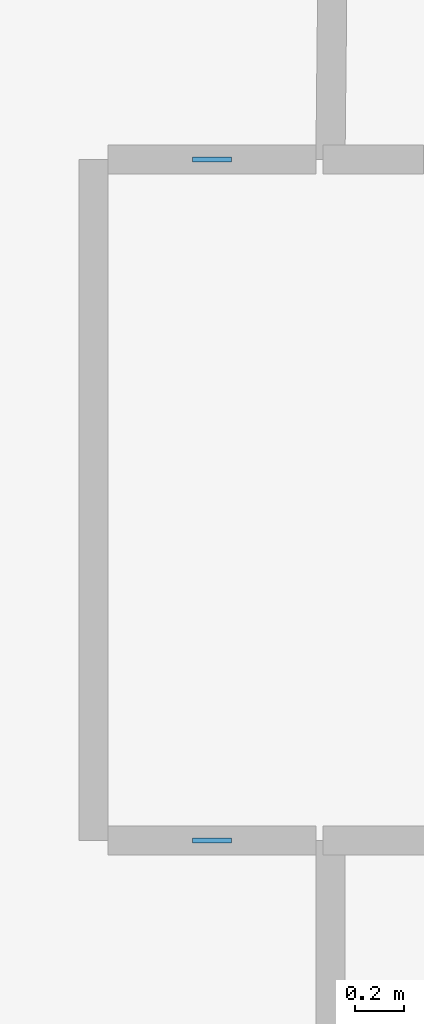
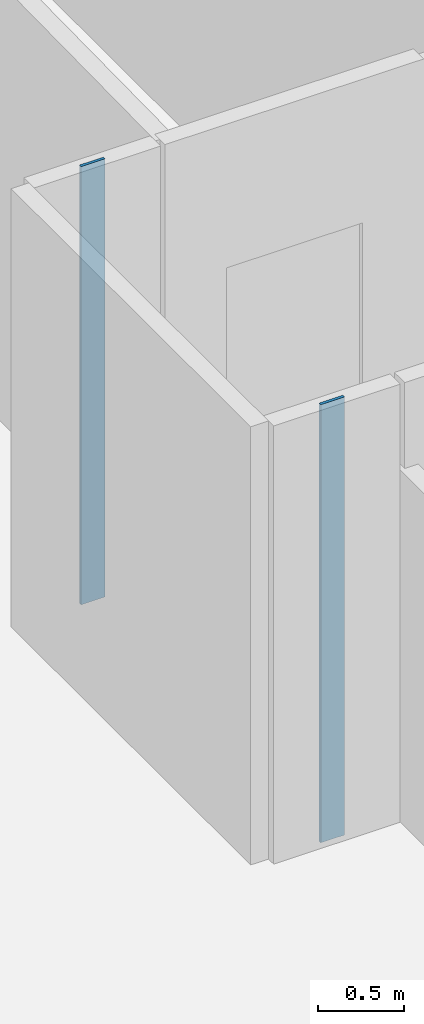
# One storey, part 7 of 15: 2 plates.
"""IFC4 building model written with IfcOpenShell, lengths in metres."""

from ifc_helpers import new_model, si_unit, direction, frame, origin, origin_2d, place, context, subcontext, project, spatial, rectangle, extrude, material, layer, layer_set, type_object, element, save


model = new_model("IFC4")

# Units and contexts
model_context = context("Model", 3, precision=1e-05, world=origin(), true_north=direction((0.0, 1.0)))
body_context = subcontext(model_context, "Body", "Model", "MODEL_VIEW")
ifc_project = project(units=[si_unit("LENGTHUNIT", "METRE"), si_unit("AREAUNIT", "SQUARE_METRE"), si_unit("VOLUMEUNIT", "CUBIC_METRE"), si_unit("PLANEANGLEUNIT", "RADIAN"), si_unit("MASSUNIT", "GRAM", prefix="KILO")], contexts=[model_context])

# Site, building, storey
site_placement = place(None, origin())
site = spatial("IfcSite", under=ifc_project, at=site_placement, CompositionType="ELEMENT")
building_placement = place(site_placement, origin())
building = spatial("IfcBuilding", under=site, at=building_placement, Name="Miruveldt Soraemaru", CompositionType="ELEMENT")
storey_placement = place(building_placement, frame((0.0, 0.0, 32.60009765625)))
storey = spatial("IfcBuildingStorey", under=building, at=storey_placement, Name="L08", CompositionType="ELEMENT", Elevation=32.60009765625)

# Plates
ifc_material = material(Name="Anodised aluminium EN AW-6063 T6", Category="aluminium")
ifc_layer = layer(ifc_material, 0.02001953125, Name="Anodised aluminium EN AW-6063 T6", Category="aluminium")
ifc_layer_set = layer_set([ifc_layer], Name="Anodised aluminium EN AW-6063 T6")
plate_type = type_object("IfcPlateType", Name="PLT-PART-TRIM", PredefinedType="SHEET", material=ifc_layer_set)
for number, where, z_axis, x_axis, name in (
    (1, (41.06298828125, 67.97998046875, 0.0), (0.0, 0.0, 1.0), (-1.0, 0.0, 0.0), "L08 Partition Step Corner Trim Plate 028"),
    (2, (41.06298828125, 65.179931640625, 0.0), (0.0, 0.0, 1.0), (1.0, 0.0, 0.0), "L08 Partition Step Corner Trim Plate 030"),
):
    element("IfcPlate", number, at=place(storey_placement, frame(where, z_axis=z_axis, x_axis=x_axis)), inside=storey, type_object=plate_type, Name=name, PredefinedType="SHEET", context=body_context, shape_type="SweptSolid", body=[
        extrude(rectangle(XDim=0.159912109375, YDim=0.02001953125, at=origin_2d()), origin(), (0.0, 0.0, 1.0), 3.125),
    ])

save(model, "model.ifc")
